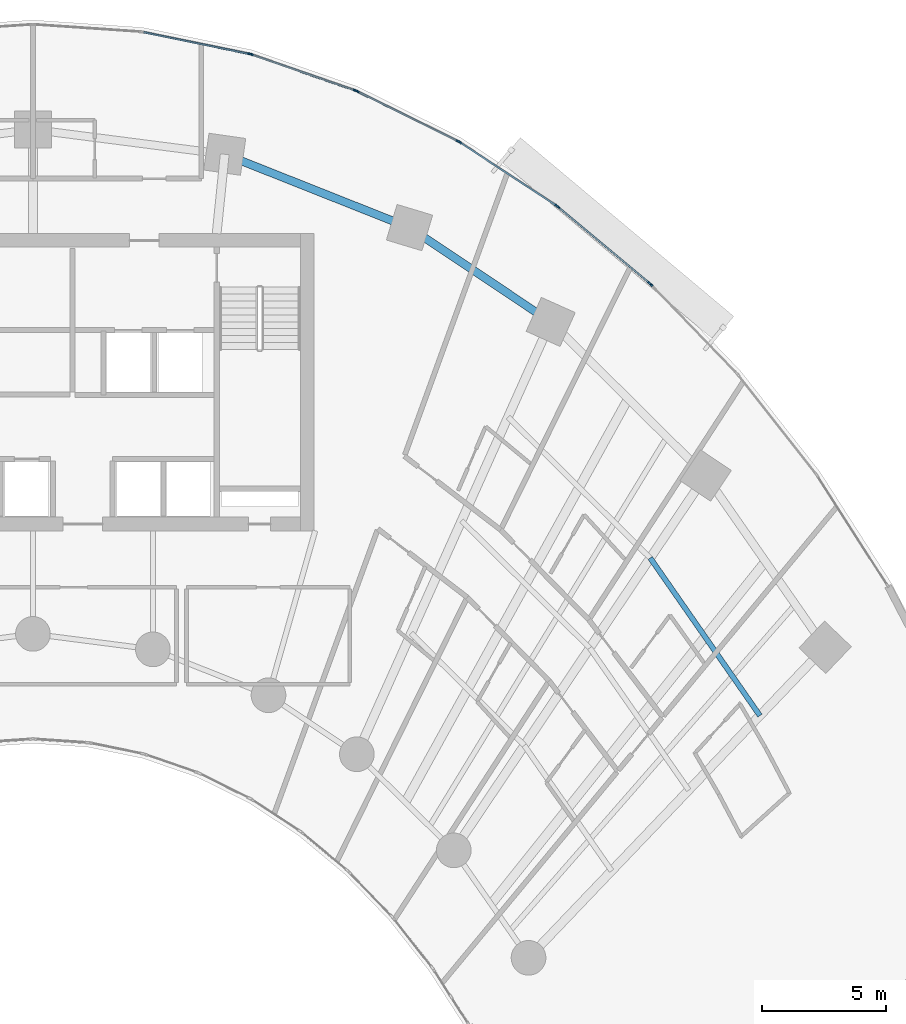
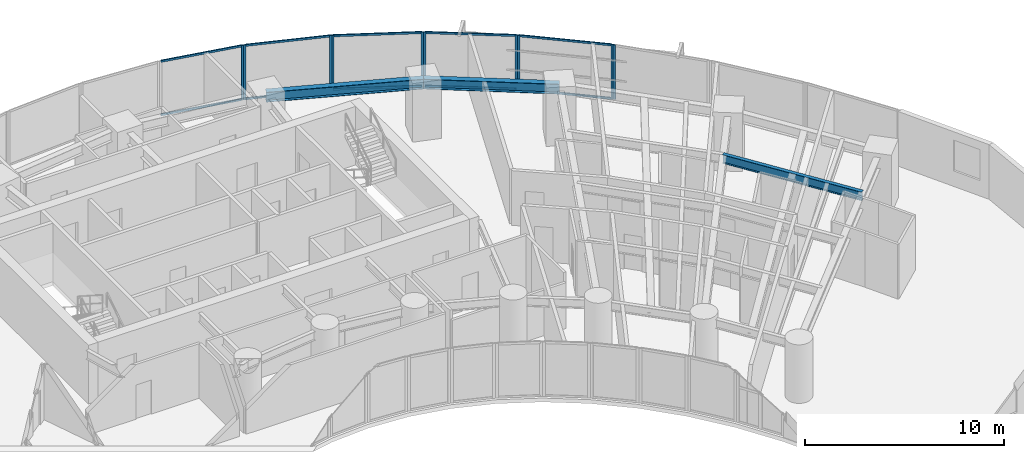
# One storey, part 7 of 18: 20 members, 3 beams, 6 elements without a shape of their own.
"""IFC4 building model written with IfcOpenShell, lengths in metres."""

from ifc_helpers import new_model, si_unit, direction, frame, origin, origin_2d, place, context, subcontext, project, spatial, rectangle, i_section, extrude, source, transform, mapped, material, layer, layer_set, material_profile, profile_set, type_object, type_shapes, element, aggregate, save


model = new_model("IFC4")

# Units and contexts
model_context = context("Model", 3, precision=1e-05, world=origin(), true_north=direction((0.0, 1.0)))
body_context = subcontext(model_context, "Body", "Model", "MODEL_VIEW")
ifc_project = project(units=[si_unit("LENGTHUNIT", "METRE"), si_unit("AREAUNIT", "SQUARE_METRE"), si_unit("VOLUMEUNIT", "CUBIC_METRE"), si_unit("PLANEANGLEUNIT", "RADIAN"), si_unit("MASSUNIT", "GRAM", prefix="KILO")], contexts=[model_context])

# Site, building, storey
site_placement = place(None, origin())
site = spatial("IfcSite", under=ifc_project, at=site_placement, CompositionType="ELEMENT")
building_placement = place(site_placement, origin())
building = spatial("IfcBuilding", under=site, at=building_placement, Name="Breltana Convention Tower", CompositionType="ELEMENT")
storey_placement = place(building_placement, frame((0.0, 0.0, 39.0)))
storey = spatial("IfcBuildingStorey", under=building, at=storey_placement, Name="L07", CompositionType="ELEMENT", Elevation=39.0)

# Beams
ifc_material_1 = material(Name="Steel ASTM A992 Grade 50", Category="steel")
ifc_material_profile_1 = material_profile(ifc_material_1, i_section(OverallWidth=0.323974609375, OverallDepth=0.611083984375, WebThickness=0.0126953125, FlangeThickness=0.01904296875, at=origin_2d()), Name="W24X104")
ifc_profile_set_1 = profile_set([ifc_material_profile_1], Name="Steel ASTM A992 Grade 50")
beam_type_1 = type_object("IfcBeamType", Name="BM-SP-W24X104", PredefinedType="SPANDREL", material=ifc_profile_set_1)
shared_shape_1 = source(origin(), body_context, "Body", "SweptSolid", [
    extrude(i_section(OverallWidth=0.323974609375, OverallDepth=0.611083984375, WebThickness=0.0126953125, FlangeThickness=0.01904296875, at=origin_2d()), origin(), (0.0, 0.0, 1.0), 8.028564453125),
])
beam_1_placement = place(storey_placement, frame((55.746826171875, 75.404296875, 3.054443359375), z_axis=(0.929459100394, -0.368925169507, 0.0), x_axis=(0.368925169507, 0.929459100394, 0.0)))
element("IfcBeam", 1, at=beam_1_placement, inside=storey, type_object=beam_type_1, Name="L07 Outer Spandrel Beam 07", PredefinedType="SPANDREL", context=body_context, shape_type="MappedRepresentation", body=[
    mapped(shared_shape_1, transform((0.0, 0.0, 0.0), scale=1.0)),
])
shared_shape_2 = source(origin(), body_context, "Body", "SweptSolid", [
    extrude(i_section(OverallWidth=0.323974609375, OverallDepth=0.611083984375, WebThickness=0.0126953125, FlangeThickness=0.01904296875, at=origin_2d()), origin(), (0.0, 0.0, 1.0), 6.856689453125),
])
beam_2_placement = place(storey_placement, frame((63.208984375, 72.4423828125, 3.054443359375), z_axis=(0.83150210718, -0.55552159792, 0.0), x_axis=(0.55552159792, 0.83150210718, 0.0)))
element("IfcBeam", 2, at=beam_2_placement, inside=storey, type_object=beam_type_1, Name="L07 Outer Spandrel Beam 08", PredefinedType="SPANDREL", context=body_context, shape_type="MappedRepresentation", body=[
    mapped(shared_shape_2, transform((0.0, 0.0, 0.0), scale=1.0)),
])
ifc_material_profile_2 = material_profile(ifc_material_1, i_section(OverallWidth=0.2099609375, OverallDepth=0.537109375, WebThickness=0.010986328125, FlangeThickness=0.017333984375, at=origin_2d()), Name="W21X68")
ifc_profile_set_2 = profile_set([ifc_material_profile_2], Name="Steel ASTM A992 Grade 50")
beam_type_2 = type_object("IfcBeamType", Name="BM-JSG-04", PredefinedType="JOIST", material=ifc_profile_set_2)
shared_shape_3 = source(origin(), body_context, "Body", "SweptSolid", [
    extrude(i_section(OverallWidth=0.2099609375, OverallDepth=0.537109375, WebThickness=0.010986328125, FlangeThickness=0.017333984375, at=origin_2d()), origin(), (0.0, 0.0, 1.0), 7.75390625),
])
beam_3_placement = place(storey_placement, frame((72.92919921875, 59.10009765625, 3.091552734375), z_axis=(0.57119271264, -0.820815987312, 0.0), x_axis=(0.820815987312, 0.57119271264, 0.0)))
element("IfcBeam", 3, at=beam_3_placement, inside=storey, type_object=beam_type_2, Name="L07 Composite Floor Joist 10.3", PredefinedType="JOIST", context=body_context, shape_type="MappedRepresentation", body=[
    mapped(shared_shape_3, transform((0.0, 0.0, 0.0), scale=1.0)),
])

# Curtain wall, member
ifc_material_2 = material(Name="Aluminium Anodised Bronze Frame", Category="aluminium")
ifc_layer = layer(ifc_material_2, 0.199951171875, Name="Aluminium Anodised Bronze Frame")
ifc_layer_set = layer_set([ifc_layer], Name="Aluminium Anodised Bronze Frame")
curtain_wall_type = type_object("IfcCurtainWallType", Name="CW-SYS-2", PredefinedType="NOTDEFINED", material=ifc_layer_set)
curtain_wall_1_placement = place(storey_placement, origin())
curtain_wall_1 = element("IfcCurtainWall", 4, at=curtain_wall_1_placement, inside=storey, type_object=curtain_wall_type, Name="L07 outer double-skin inner glazing 11", PredefinedType="NOTDEFINED")
ifc_material_3 = material(Name="Aluminium Anodised Bronze", Category="aluminium")
ifc_material_profile_3 = material_profile(ifc_material_3, rectangle(XDim=0.070068359375, YDim=0.175048828125, at=origin_2d()), Name="CWM-70X175")
ifc_profile_set_3 = profile_set([ifc_material_profile_3], Name="Aluminium Anodised Bronze")
member_type_1 = type_object("IfcMemberType", Name="CWM-175", PredefinedType="MULLION", material=ifc_profile_set_3)
shared_shape_4 = source(origin(), body_context, "Body", "SweptSolid", [
    extrude(rectangle(XDim=0.070068359375, YDim=0.175048828125, at=origin_2d()), origin(), (0.0, 0.0, 1.0), 3.360107421875),
])
type_shapes(member_type_1, [shared_shape_4])
member_1_placement = place(storey_placement, frame((56.7451171875, 79.45751953125, 0.0), z_axis=(0.0, 0.0, 1.0), x_axis=(0.200884537139, 0.979614925743, 0.0)))
member_1 = element("IfcMember", 5, at=member_1_placement, type_object=member_type_1, Name="CW-02 mullion 2", PredefinedType="MULLION", context=body_context, shape_type="MappedRepresentation", body=[
    mapped(shared_shape_4, transform((0.0, 0.0, 0.0), scale=1.0)),
])

# Curtain wall, members
curtain_wall_2_placement = place(storey_placement, origin())
curtain_wall_2 = element("IfcCurtainWall", 6, at=curtain_wall_2_placement, inside=storey, type_object=curtain_wall_type, Name="L07 outer double-skin inner glazing 12", PredefinedType="NOTDEFINED")
member_2_placement = place(storey_placement, frame((56.8125, 79.43896484375, 0.0), z_axis=(0.0, 0.0, 1.0), x_axis=(0.32742834581, 0.944876012163, 0.0)))
member_2 = element("IfcMember", 7, at=member_2_placement, type_object=member_type_1, Name="CW-02 mullion 1", PredefinedType="MULLION", context=body_context, shape_type="MappedRepresentation", body=[
    mapped(shared_shape_4, transform((0.0, 0.0, 0.0), scale=1.0)),
])
member_3_placement = place(storey_placement, frame((61.025146484375, 77.979248046875, 0.0), z_axis=(0.0, 0.0, 1.0), x_axis=(0.32742834581, 0.944876012163, 0.0)))
member_3 = element("IfcMember", 8, at=member_3_placement, type_object=member_type_1, Name="CW-02 mullion 2", PredefinedType="MULLION", context=body_context, shape_type="MappedRepresentation", body=[
    mapped(shared_shape_4, transform((0.0, 0.0, 0.0), scale=1.0)),
])

curtain_wall_3_placement = place(storey_placement, origin())
curtain_wall_3 = element("IfcCurtainWall", 9, at=curtain_wall_3_placement, inside=storey, type_object=curtain_wall_type, Name="L07 outer double-skin inner glazing 13", PredefinedType="NOTDEFINED")
member_4_placement = place(storey_placement, frame((61.089599609375, 77.9521484375, 0.0), z_axis=(0.0, 0.0, 1.0), x_axis=(0.444107703726, 0.895973407804, 0.0)))
member_4 = element("IfcMember", 10, at=member_4_placement, type_object=member_type_1, Name="CW-02 mullion 1", PredefinedType="MULLION", context=body_context, shape_type="MappedRepresentation", body=[
    mapped(shared_shape_4, transform((0.0, 0.0, 0.0), scale=1.0)),
])
member_5_placement = place(storey_placement, frame((65.1728515625, 75.92822265625, 0.0), z_axis=(0.0, 0.0, 1.0), x_axis=(0.444107703726, 0.895973407804, 0.0)))
member_5 = element("IfcMember", 11, at=member_5_placement, type_object=member_type_1, Name="CW-02 mullion 2", PredefinedType="MULLION", context=body_context, shape_type="MappedRepresentation", body=[
    mapped(shared_shape_4, transform((0.0, 0.0, 0.0), scale=1.0)),
])

curtain_wall_4_placement = place(storey_placement, origin())
curtain_wall_4 = element("IfcCurtainWall", 12, at=curtain_wall_4_placement, inside=storey, type_object=curtain_wall_type, Name="L07 outer double-skin inner glazing 14", PredefinedType="NOTDEFINED")
member_6_placement = place(storey_placement, frame((65.233642578125, 75.8935546875, 0.0), z_axis=(0.0, 0.0, 1.0), x_axis=(0.548784255746, 0.83596401875, 0.0)))
member_6 = element("IfcMember", 13, at=member_6_placement, type_object=member_type_1, Name="CW-02 mullion 1", PredefinedType="MULLION", context=body_context, shape_type="MappedRepresentation", body=[
    mapped(shared_shape_4, transform((0.0, 0.0, 0.0), scale=1.0)),
])
member_7_placement = place(storey_placement, frame((69.146484375, 73.32470703125, 0.0), z_axis=(0.0, 0.0, 1.0), x_axis=(0.548784255746, 0.83596401875, 0.0)))
member_7 = element("IfcMember", 14, at=member_7_placement, type_object=member_type_1, Name="CW-02 mullion 2", PredefinedType="MULLION", context=body_context, shape_type="MappedRepresentation", body=[
    mapped(shared_shape_4, transform((0.0, 0.0, 0.0), scale=1.0)),
])

curtain_wall_5_placement = place(storey_placement, origin())
curtain_wall_5 = element("IfcCurtainWall", 15, at=curtain_wall_5_placement, inside=storey, type_object=curtain_wall_type, Name="L07 outer double-skin inner glazing 15", PredefinedType="NOTDEFINED")
member_8_placement = place(storey_placement, frame((69.20263671875, 73.283203125, 0.0), z_axis=(0.0, 0.0, 1.0), x_axis=(0.640520193554, 0.767941326958, 0.0)))
member_8 = element("IfcMember", 16, at=member_8_placement, type_object=member_type_1, Name="CW-02 mullion 1", PredefinedType="MULLION", context=body_context, shape_type="MappedRepresentation", body=[
    mapped(shared_shape_4, transform((0.0, 0.0, 0.0), scale=1.0)),
])
member_9_placement = place(storey_placement, frame((72.90478515625, 70.1953125, 0.0), z_axis=(0.0, 0.0, 1.0), x_axis=(0.640520193554, 0.767941326958, 0.0)))
member_9 = element("IfcMember", 17, at=member_9_placement, type_object=member_type_1, Name="CW-02 mullion 2", PredefinedType="MULLION", context=body_context, shape_type="MappedRepresentation", body=[
    mapped(shared_shape_4, transform((0.0, 0.0, 0.0), scale=1.0)),
])

# Curtain wall, member
curtain_wall_6_placement = place(storey_placement, origin())
curtain_wall_6 = element("IfcCurtainWall", 18, at=curtain_wall_6_placement, inside=storey, type_object=curtain_wall_type, Name="L07 outer double-skin inner glazing 16", PredefinedType="NOTDEFINED")
member_10_placement = place(storey_placement, frame((72.955810546875, 70.147705078125, 0.0), z_axis=(0.0, 0.0, 1.0), x_axis=(0.719386421003, 0.694610090106, 0.0)))
member_10 = element("IfcMember", 19, at=member_10_placement, type_object=member_type_1, Name="CW-02 mullion 1", PredefinedType="MULLION", context=body_context, shape_type="MappedRepresentation", body=[
    mapped(shared_shape_4, transform((0.0, 0.0, 0.0), scale=1.0)),
])
aggregate(curtain_wall_6, [member_10])

# Member
ifc_material_profile_4 = material_profile(ifc_material_3, rectangle(XDim=0.070068359375, YDim=0.1201171875, at=origin_2d()), Name="CWT-70X120")
ifc_profile_set_4 = profile_set([ifc_material_profile_4], Name="Aluminium Anodised Bronze")
member_type_2 = type_object("IfcMemberType", Name="CWT-120", PredefinedType="USERDEFINED", material=ifc_profile_set_4)
shared_shape_5 = source(origin(), body_context, "Body", "SweptSolid", [
    extrude(rectangle(XDim=0.070068359375, YDim=0.1201171875, at=origin_2d()), origin(), (0.0, 0.0, 1.0), 4.7509765625),
])
member_11_placement = place(storey_placement, frame((69.2294921875, 73.2607421875, 0.034912109375), z_axis=(0.767951631807, -0.64050783852, 0.0), x_axis=(0.64050783852, 0.767951631807, 0.0)))
member_11 = element("IfcMember", 20, at=member_11_placement, type_object=member_type_2, Name="CW-02 transom 1.1", ObjectType="TRANSOM", PredefinedType="USERDEFINED", context=body_context, shape_type="MappedRepresentation", body=[
    mapped(shared_shape_5, transform((0.0, 0.0, 0.0), scale=1.0)),
])

member_12_placement = place(storey_placement, frame((69.2294921875, 73.2607421875, 3.324951171875), z_axis=(0.767951631807, -0.64050783852, 0.0), x_axis=(0.64050783852, 0.767951631807, 0.0)))
member_12 = element("IfcMember", 21, at=member_12_placement, type_object=member_type_2, Name="CW-02 transom 1.2", ObjectType="TRANSOM", PredefinedType="USERDEFINED", context=body_context, shape_type="MappedRepresentation", body=[
    mapped(shared_shape_5, transform((0.0, 0.0, 0.0), scale=1.0)),
])

aggregate(curtain_wall_5, [member_8, member_9, member_11, member_12])

shared_shape_6 = source(origin(), body_context, "Body", "SweptSolid", [
    extrude(rectangle(XDim=0.070068359375, YDim=0.1201171875, at=origin_2d()), origin(), (0.0, 0.0, 1.0), 4.610595703125),
])
member_13_placement = place(storey_placement, frame((65.262939453125, 75.874267578125, 0.034912109375), z_axis=(0.835956055104, -0.54879638659, 0.0), x_axis=(0.54879638659, 0.835956055104, 0.0)))
member_13 = element("IfcMember", 22, at=member_13_placement, type_object=member_type_2, Name="CW-02 transom 1.1", ObjectType="TRANSOM", PredefinedType="USERDEFINED", context=body_context, shape_type="MappedRepresentation", body=[
    mapped(shared_shape_6, transform((0.0, 0.0, 0.0), scale=1.0)),
])

member_14_placement = place(storey_placement, frame((65.262939453125, 75.874267578125, 3.324951171875), z_axis=(0.835956055104, -0.54879638659, 0.0), x_axis=(0.54879638659, 0.835956055104, 0.0)))
member_14 = element("IfcMember", 23, at=member_14_placement, type_object=member_type_2, Name="CW-02 transom 1.2", ObjectType="TRANSOM", PredefinedType="USERDEFINED", context=body_context, shape_type="MappedRepresentation", body=[
    mapped(shared_shape_6, transform((0.0, 0.0, 0.0), scale=1.0)),
])

aggregate(curtain_wall_4, [member_6, member_7, member_13, member_14])

shared_shape_7 = source(origin(), body_context, "Body", "SweptSolid", [
    extrude(rectangle(XDim=0.070068359375, YDim=0.1201171875, at=origin_2d()), origin(), (0.0, 0.0, 1.0), 4.487548828125),
])
member_15_placement = place(storey_placement, frame((61.120849609375, 77.936767578125, 0.034912109375), z_axis=(0.895977728863, -0.444098986017, 0.0), x_axis=(0.444098986017, 0.895977728863, 0.0)))
member_15 = element("IfcMember", 24, at=member_15_placement, type_object=member_type_2, Name="CW-02 transom 1.1", ObjectType="TRANSOM", PredefinedType="USERDEFINED", context=body_context, shape_type="MappedRepresentation", body=[
    mapped(shared_shape_7, transform((0.0, 0.0, 0.0), scale=1.0)),
])

member_16_placement = place(storey_placement, frame((61.120849609375, 77.936767578125, 3.324951171875), z_axis=(0.895977728863, -0.444098986017, 0.0), x_axis=(0.444098986017, 0.895977728863, 0.0)))
member_16 = element("IfcMember", 25, at=member_16_placement, type_object=member_type_2, Name="CW-02 transom 1.2", ObjectType="TRANSOM", PredefinedType="USERDEFINED", context=body_context, shape_type="MappedRepresentation", body=[
    mapped(shared_shape_7, transform((0.0, 0.0, 0.0), scale=1.0)),
])

aggregate(curtain_wall_3, [member_4, member_5, member_15, member_16])

shared_shape_8 = source(origin(), body_context, "Body", "SweptSolid", [
    extrude(rectangle(XDim=0.070068359375, YDim=0.1201171875, at=origin_2d()), origin(), (0.0, 0.0, 1.0), 4.38818359375),
])
member_17_placement = place(storey_placement, frame((56.845703125, 79.427490234375, 0.034912109375), z_axis=(0.944878203019, -0.32742202348, 0.0), x_axis=(0.32742202348, 0.944878203019, 0.0)))
member_17 = element("IfcMember", 26, at=member_17_placement, type_object=member_type_2, Name="CW-02 transom 1.1", ObjectType="TRANSOM", PredefinedType="USERDEFINED", context=body_context, shape_type="MappedRepresentation", body=[
    mapped(shared_shape_8, transform((0.0, 0.0, 0.0), scale=1.0)),
])

member_18_placement = place(storey_placement, frame((56.845703125, 79.427490234375, 3.324951171875), z_axis=(0.944878203019, -0.32742202348, 0.0), x_axis=(0.32742202348, 0.944878203019, 0.0)))
member_18 = element("IfcMember", 27, at=member_18_placement, type_object=member_type_2, Name="CW-02 transom 1.2", ObjectType="TRANSOM", PredefinedType="USERDEFINED", context=body_context, shape_type="MappedRepresentation", body=[
    mapped(shared_shape_8, transform((0.0, 0.0, 0.0), scale=1.0)),
])

aggregate(curtain_wall_2, [member_2, member_3, member_17, member_18])

shared_shape_9 = source(origin(), body_context, "Body", "SweptSolid", [
    extrude(rectangle(XDim=0.070068359375, YDim=0.1201171875, at=origin_2d()), origin(), (0.0, 0.0, 1.0), 4.318359375),
])
member_19_placement = place(storey_placement, frame((52.480712890625, 80.33203125, 0.034912109375), z_axis=(0.979616680923, -0.200875977799, 0.0), x_axis=(0.200875977799, 0.979616680923, 0.0)))
member_19 = element("IfcMember", 28, at=member_19_placement, type_object=member_type_2, Name="CW-02 transom 1.1", ObjectType="TRANSOM", PredefinedType="USERDEFINED", context=body_context, shape_type="MappedRepresentation", body=[
    mapped(shared_shape_9, transform((0.0, 0.0, 0.0), scale=1.0)),
])

member_20_placement = place(storey_placement, frame((52.480712890625, 80.33203125, 3.324951171875), z_axis=(0.979616680923, -0.200875977799, 0.0), x_axis=(0.200875977799, 0.979616680923, 0.0)))
member_20 = element("IfcMember", 29, at=member_20_placement, type_object=member_type_2, Name="CW-02 transom 1.2", ObjectType="TRANSOM", PredefinedType="USERDEFINED", context=body_context, shape_type="MappedRepresentation", body=[
    mapped(shared_shape_9, transform((0.0, 0.0, 0.0), scale=1.0)),
])

aggregate(curtain_wall_1, [member_1, member_19, member_20])

save(model, "model.ifc")
